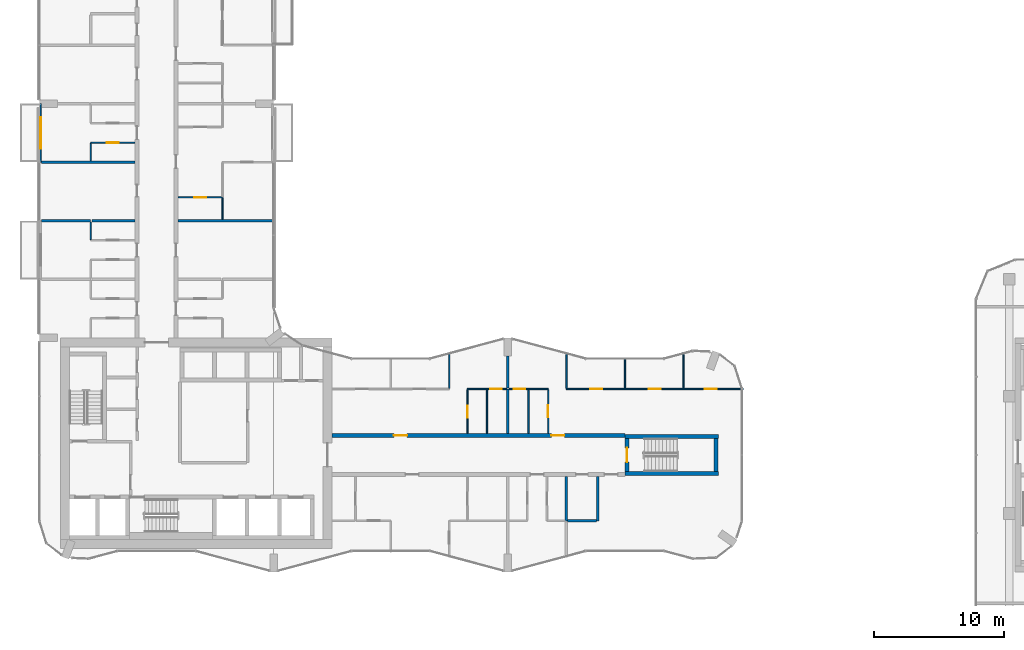
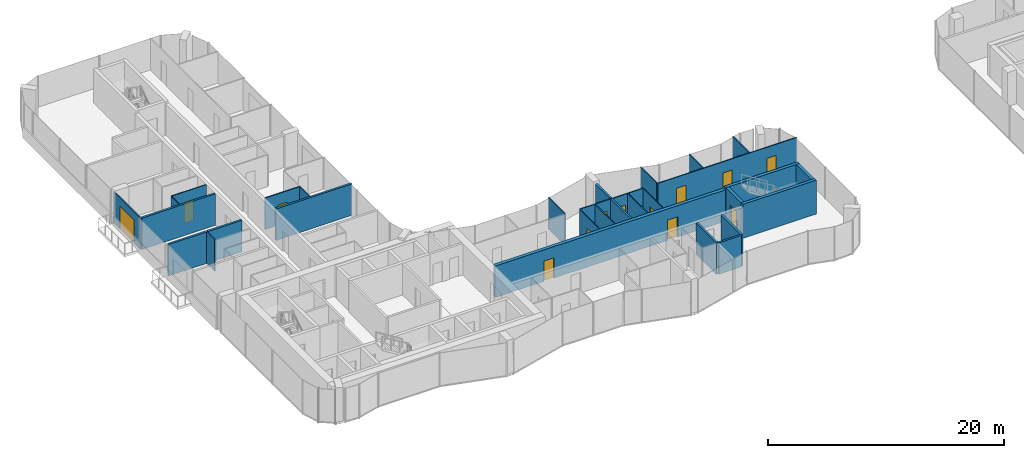
# One storey, part 15 of 23: 31 walls, 13 doors, 13 openings.
"""IFC4 building model written with IfcOpenShell, lengths in metres."""

import ifcopenshell
import ifcopenshell.guid

model = None  # the IFC model being written
_history = None  # IfcOwnerHistory: only IFC2X3 demands one
_inside = {}  # id of a spatial element -> (the spatial element, [elements in it])
_under = {}  # id of a project, library or spatial element -> (it, [spatial elements below it])
_declared = {}  # id of a project -> (the project, [libraries it declares])
_typed = {}  # id of a type object -> (the type object, [elements of that type])
_made_of = {}  # id of a material, layer set ... -> (it, [elements and type objects made of it])


def new_model(schema):
    """Start an empty IFC model of exactly this schema.

    Asked for "IFC4X3", IfcOpenShell would pick the latest addendum, in which some entities
    have other attributes; the version numbers below select the first issue.
    IFC2X3 requires an IfcOwnerHistory on every rooted entity: one is made here for all.
    """
    global model, _history
    if schema == "IFC4X3":
        model = ifcopenshell.file(schema_version=(4, 3, 0, 0))
    else:
        model = ifcopenshell.file(schema=schema)
    _inside.clear()
    _under.clear()
    _declared.clear()
    _typed.clear()
    _made_of.clear()
    _history = None
    if model.schema == "IFC2X3":
        org = make("IfcOrganization", Name="unknown")
        user = make(
            "IfcPersonAndOrganization",
            ThePerson=make("IfcPerson", FamilyName="unknown"),
            TheOrganization=org,
        )
        app = make(
            "IfcApplication",
            ApplicationDeveloper=org,
            Version="unknown",
            ApplicationFullName="unknown",
            ApplicationIdentifier="unknown",
        )
        _history = make(
            "IfcOwnerHistory",
            OwningUser=user,
            OwningApplication=app,
            ChangeAction="ADDED",
            CreationDate=0,
        )
    return model


def make(cls, **values):
    """One entity of the class cls with the attributes given. An attribute that is None is left unset."""
    return model.create_entity(
        cls, **{name: value for name, value in values.items() if value is not None}
    )


def rooted(cls, **values):
    """An entity with a GlobalId (a new one), such as an element, a storey or a relation."""
    return make(cls, GlobalId=ifcopenshell.guid.new(), OwnerHistory=_history, **values)


def si_unit(unit_type, name, prefix=None):
    """IfcSIUnit, for example si_unit("LENGTHUNIT", "METRE", prefix="MILLI")."""
    return make("IfcSIUnit", UnitType=unit_type, Prefix=prefix, Name=name)


def assignment(units):
    """IfcUnitAssignment: the units of a project."""
    return None if units is None else make("IfcUnitAssignment", Units=units)


def point(xyz):
    """IfcCartesianPoint."""
    return None if xyz is None else make("IfcCartesianPoint", Coordinates=xyz)


def direction(xyz):
    """IfcDirection."""
    return None if xyz is None else make("IfcDirection", DirectionRatios=xyz)


def frame(location, z_axis=None, x_axis=None):
    """IfcAxis2Placement3D, a coordinate frame: its origin and axes. An axis left out is left unset."""
    return make(
        "IfcAxis2Placement3D",
        Location=point(location),
        Axis=direction(z_axis),
        RefDirection=direction(x_axis),
    )


def frame_2d(location, x_axis=None):
    """IfcAxis2Placement2D, a coordinate frame in the plane: its origin and x axis."""
    return make(
        "IfcAxis2Placement2D", Location=point(location), RefDirection=direction(x_axis)
    )


def origin():
    """The frame at (0, 0, 0) with its axes left unset."""
    return frame((0.0, 0.0, 0.0))


def place(relative_to, where):
    """IfcLocalPlacement: puts the frame where relative to a parent placement (None: the world)."""
    return make(
        "IfcLocalPlacement", PlacementRelTo=relative_to, RelativePlacement=where
    )


def context(
    kind, dimensions, precision=None, world=None, true_north=None, identifier=None
):
    """IfcGeometricRepresentationContext, for example the 3D "Model" context."""
    return make(
        "IfcGeometricRepresentationContext",
        ContextIdentifier=identifier,
        ContextType=kind,
        CoordinateSpaceDimension=dimensions,
        Precision=precision,
        WorldCoordinateSystem=world,
        TrueNorth=true_north,
    )


def subcontext(parent, identifier, kind, view, scale=None):
    """IfcGeometricRepresentationSubContext, for example "Body" below "Model"."""
    return make(
        "IfcGeometricRepresentationSubContext",
        ContextIdentifier=identifier,
        ContextType=kind,
        ParentContext=parent,
        TargetScale=scale,
        TargetView=view,
    )


def project(units=None, contexts=None):
    """IfcProject with its units and contexts."""
    return rooted(
        "IfcProject",
        Name="project",
        RepresentationContexts=contexts,
        UnitsInContext=assignment(units),
    )


def spatial(cls, under=None, at=None, **own):
    """A site, building, storey or space (cls), placed at a placement, below another one or the project."""
    s = rooted(cls, ObjectPlacement=at, **own)
    if under is not None:
        _under.setdefault(under.id(), (under, []))[1].append(s)
    return s


def profile(cls, at=None, kind="AREA", **sizes):
    """A parametric profile (cls). Its sizes go by their IFC names, for example OverallWidth=200.0."""
    return make(cls, ProfileType=kind, Position=at, **sizes)


def rectangle(**sizes):
    """IfcRectangleProfileDef."""
    return profile("IfcRectangleProfileDef", **sizes)


def extrude(swept, where, along, depth):
    """IfcExtrudedAreaSolid: the profile swept, set in the frame where, extruded along a direction by depth."""
    return make(
        "IfcExtrudedAreaSolid",
        SweptArea=swept,
        Position=where,
        ExtrudedDirection=direction(along),
        Depth=depth,
    )


def shape(context_of_items, identifier, shape_type, items):
    """IfcShapeRepresentation: the items that make up one representation, for example the "Body"."""
    return make(
        "IfcShapeRepresentation",
        ContextOfItems=context_of_items,
        RepresentationIdentifier=identifier,
        RepresentationType=shape_type,
        Items=items,
    )


def material(Name=None, Category=None):
    """IfcMaterial."""
    return make("IfcMaterial", Name=Name, Category=Category)


def layer(
    of_material, thickness, ventilated=None, Name=None, Category=None, Priority=None
):
    """IfcMaterialLayer: one layer of a wall or slab, of a material (None: an air gap)."""
    return make(
        "IfcMaterialLayer",
        Material=of_material,
        LayerThickness=thickness,
        IsVentilated=ventilated,
        Name=Name,
        Category=Category,
        Priority=Priority,
    )


def layer_set(layers, Name=None):
    """IfcMaterialLayerSet."""
    return make("IfcMaterialLayerSet", MaterialLayers=layers, LayerSetName=Name)


def made_of(thing, what):
    """Note that an element or type object is made of a material, layer set ...; save() writes the relation."""
    if what is not None:
        _made_of.setdefault(what.id(), (what, []))[1].append(thing)
    return thing


def type_object(cls, material=None, **own):
    """A type object (cls), such as IfcWallType, which elements share."""
    return made_of(rooted(cls, **own), material)


def element(
    cls,
    number,
    at=None,
    inside=None,
    cuts=None,
    type_object=None,
    material=None,
    context=None,
    identifier="Body",
    shape_type=None,
    held_by="IfcProductDefinitionShape",
    body=None,
    shapes=None,
    **own,
):
    """One element of the class cls, such as IfcWall. Its Tag is "e" and its number.

    at: its placement. inside: the storey or other place that contains it. cuts: it is an
    opening in that element (IfcRelVoidsElement). A single representation is given by context,
    identifier, shape_type and body (its items); several are given by shapes. held_by: the class
    of the entity that holds the representations. save() writes the other relations.
    """
    e = rooted(cls, Tag="e%d" % number, ObjectPlacement=at, **own)
    if body is not None:
        shapes = [shape(context, identifier, shape_type, body)]
    if shapes is not None:
        e.Representation = make(held_by, Representations=shapes)
    if inside is not None:
        _inside.setdefault(inside.id(), (inside, []))[1].append(e)
    if cuts is not None:
        rooted(
            "IfcRelVoidsElement", RelatingBuildingElement=cuts, RelatedOpeningElement=e
        )
    if type_object is not None:
        _typed.setdefault(type_object.id(), (type_object, []))[1].append(e)
    return made_of(e, material)


def fill(opening, filler):
    """IfcRelFillsElement: the door or window that sits in an opening."""
    return rooted(
        "IfcRelFillsElement",
        RelatingOpeningElement=opening,
        RelatedBuildingElement=filler,
    )


def aggregate(whole, parts):
    """IfcRelAggregates: a whole, such as a stair, and the parts it consists of."""
    return rooted("IfcRelAggregates", RelatingObject=whole, RelatedObjects=parts)


def save(model, path):
    """Write the relations noted so far, then the file.

    IfcRelAggregates (storeys below a building ...), IfcRelContainedInSpatialStructure (elements
    in a storey), IfcRelDefinesByType, IfcRelAssociatesMaterial and IfcRelDeclares: one each for
    every whole, place, type object, material and project.
    """
    for whole, parts in _under.values():
        aggregate(whole, parts)
    for where, things in _inside.values():
        rooted(
            "IfcRelContainedInSpatialStructure",
            RelatedElements=things,
            RelatingStructure=where,
        )
    for kind, things in _typed.values():
        rooted("IfcRelDefinesByType", RelatedObjects=things, RelatingType=kind)
    for what, things in _made_of.values():
        rooted("IfcRelAssociatesMaterial", RelatedObjects=things, RelatingMaterial=what)
    for by, libraries in _declared.values():
        rooted("IfcRelDeclares", RelatingContext=by, RelatedDefinitions=libraries)
    model.write(path)


model = new_model("IFC4")

# Units and contexts
model_context = context("Model", 3, precision=1e-05, world=origin(), true_north=direction((0.0, 1.0)))
body_context = subcontext(model_context, "Body", "Model", "MODEL_VIEW")
ifc_project = project(units=[si_unit("LENGTHUNIT", "METRE"), si_unit("AREAUNIT", "SQUARE_METRE"), si_unit("VOLUMEUNIT", "CUBIC_METRE"), si_unit("PLANEANGLEUNIT", "RADIAN"), si_unit("MASSUNIT", "GRAM", prefix="KILO")], contexts=[model_context])

# Site, building, storey
site_placement = place(None, origin())
site = spatial("IfcSite", under=ifc_project, at=site_placement, CompositionType="ELEMENT")
building_placement = place(site_placement, origin())
building = spatial("IfcBuilding", under=site, at=building_placement, Name="Plateau Cross Towers", CompositionType="ELEMENT")
storey_placement = place(building_placement, frame((0.0, 0.0, 88.800048828125)))
storey = spatial("IfcBuildingStorey", under=building, at=storey_placement, Name="L22", CompositionType="ELEMENT", Elevation=88.800048828125)

# Wall, opening, door
ifc_material_1 = material(Name="Aluminium framed glazing", Category="aluminium")
ifc_layer_1 = layer(ifc_material_1, 0.10009765625)
ifc_layer_set_1 = layer_set([ifc_layer_1], Name="Aluminium framed glazing")
wall_type_1 = type_object("IfcWallType", Name="Balcony screen wall 100", PredefinedType="STANDARD", material=ifc_layer_set_1)
wall_1_placement = place(storey_placement, frame((0.10009765625, 31.5, 0.0), z_axis=(0.0, 0.0, 1.0), x_axis=(0.0, 1.0, 0.0)))
wall_1 = element("IfcWall", 1, at=wall_1_placement, inside=storey, type_object=wall_type_1, Name="Balcony screen wall A-BAL-L22-02", PredefinedType="STANDARD", context=body_context, shape_type="SweptSolid", body=[
    extrude(rectangle(XDim=4.5, YDim=0.10009765625, at=frame_2d((2.25, 0.0))), origin(), (0.0, 0.0, 1.0), 3.25),
])
opening_1_placement = place(wall_1_placement, frame((1.050048828125, 0.0, 0.0)))
opening_1 = element("IfcOpeningElement", 2, at=opening_1_placement, cuts=wall_1, Name="Opening D-B24", PredefinedType="OPENING", context=body_context, shape_type="SweptSolid", body=[
    extrude(rectangle(XDim=2.39990234375, YDim=2.39990234375, at=frame_2d((1.199951171875, 1.199951171875))), frame((0.0, 0.06005859375, 0.0), z_axis=(0.0, -1.0, 0.0), x_axis=(1.0, 0.0, 0.0)), (0.0, 0.0, 1.0), 0.1201171875),
])
ifc_material_2 = material(Name="Aluminium frame, double glazing", Category="aluminium")
door_type_1 = type_object("IfcDoorType", Name="Balcony sliding door 2400", OperationType="NOTDEFINED", PredefinedType="DOOR", material=ifc_material_2)
door_1_placement = place(opening_1_placement, origin())
door_1 = element("IfcDoor", 3, at=door_1_placement, inside=storey, type_object=door_type_1, Name="Balcony door A-BAL-L22-02", OperationType="SINGLE_SWING_LEFT", OverallHeight=2.39990234375, OverallWidth=2.39990234375, PredefinedType="DOOR", context=body_context, shape_type="SweptSolid", body=[
    extrude(rectangle(XDim=2.39990234375, YDim=2.39990234375, at=frame_2d((1.199951171875, 1.199951171875))), frame((0.0, 0.02490234375, 0.0), z_axis=(0.0, -1.0, 0.0), x_axis=(1.0, 0.0, 0.0)), (0.0, 0.0, 1.0), 0.050048828125),
])
fill(opening_1, door_1)

# Wall, openings, doors
ifc_material_3 = material(Name="Concrete C60/75", Category="concrete")
ifc_layer_2 = layer(ifc_material_3, 0.324951171875)
ifc_layer_set_2 = layer_set([ifc_layer_2], Name="Concrete C60/75")
wall_type_2 = type_object("IfcWallType", Name="Corridor wall 325", PredefinedType="SHEAR", material=ifc_layer_set_2)
wall_2_placement = place(storey_placement, frame((22.5, 10.5, 0.0), z_axis=(0.0, 0.0, 1.0), x_axis=(1.0, 0.0, 0.0)))
wall_2 = element("IfcWall", 4, at=wall_2_placement, inside=storey, type_object=wall_type_2, Name="A-cw-S2@L22", PredefinedType="SHEAR", context=body_context, shape_type="SweptSolid", body=[
    extrude(rectangle(XDim=22.5, YDim=0.324951171875, at=frame_2d((11.25, 0.0))), origin(), (0.0, 0.0, 1.0), 3.25),
])
opening_2_placement = place(wall_2_placement, frame((4.75, 0.0, 0.0)))
opening_2 = element("IfcOpeningElement", 5, at=opening_2_placement, cuts=wall_2, Name="Opening 22-05", PredefinedType="OPENING", context=body_context, shape_type="SweptSolid", body=[
    extrude(rectangle(XDim=1.0, YDim=2.10009765625, at=frame_2d((0.5, 1.050048828125))), frame((0.0, 0.17236328125, 0.0), z_axis=(0.0, -1.0, 0.0), x_axis=(1.0, 0.0, 0.0)), (0.0, 0.0, 1.0), 0.344970703125),
])
opening_3_placement = place(wall_2_placement, frame((16.85009765625, 0.0, 0.0)))
opening_3 = element("IfcOpeningElement", 6, at=opening_3_placement, cuts=wall_2, Name="Opening 22-06", PredefinedType="OPENING", context=body_context, shape_type="SweptSolid", body=[
    extrude(rectangle(XDim=1.0, YDim=2.10009765625, at=frame_2d((0.5, 1.050048828125))), frame((0.0, 0.17236328125, 0.0), z_axis=(0.0, -1.0, 0.0), x_axis=(1.0, 0.0, 0.0)), (0.0, 0.0, 1.0), 0.344970703125),
])
ifc_material_4 = material(Name="Timber, fire-resisting leaf", Category="wood")
door_type_2 = type_object("IfcDoorType", Name="Flat entrance door 1000", OperationType="NOTDEFINED", PredefinedType="DOOR", material=ifc_material_4)
door_2_placement = place(opening_2_placement, origin())
door_2 = element("IfcDoor", 7, at=door_2_placement, inside=storey, type_object=door_type_2, Name="Door 22-05", OperationType="SINGLE_SWING_LEFT", OverallHeight=2.10009765625, OverallWidth=1.0, PredefinedType="DOOR", context=body_context, shape_type="SweptSolid", body=[
    extrude(rectangle(XDim=1.0, YDim=2.10009765625, at=frame_2d((0.5, 1.050048828125))), frame((0.0, 0.02490234375, 0.0), z_axis=(0.0, -1.0, 0.0), x_axis=(1.0, 0.0, 0.0)), (0.0, 0.0, 1.0), 0.050048828125),
])
fill(opening_2, door_2)
door_3_placement = place(opening_3_placement, origin())
door_3 = element("IfcDoor", 8, at=door_3_placement, inside=storey, type_object=door_type_2, Name="Door 22-06", OperationType="SINGLE_SWING_RIGHT", OverallHeight=2.10009765625, OverallWidth=1.0, PredefinedType="DOOR", context=body_context, shape_type="SweptSolid", body=[
    extrude(rectangle(XDim=1.0, YDim=2.10009765625, at=frame_2d((0.5, 1.050048828125))), frame((0.0, 0.02490234375, 0.0), z_axis=(0.0, -1.0, 0.0), x_axis=(1.0, 0.0, 0.0)), (0.0, 0.0, 1.0), 0.050048828125),
])
fill(opening_3, door_3)

# Wall, opening, door
ifc_material_5 = material(Name="Gypsum board on steel studs", Category="steel")
ifc_layer_3 = layer(ifc_material_5, 0.10009765625)
ifc_layer_set_3 = layer_set([ifc_layer_3], Name="Gypsum board on steel studs")
wall_type_3 = type_object("IfcWallType", Name="Flat partition 100", PredefinedType="PARTITIONING", material=ifc_layer_set_3)
wall_3_placement = place(storey_placement, frame((35.89990234375, 14.0625, 0.0), z_axis=(0.0, 0.0, 1.0), x_axis=(-1.0, 0.0, 0.0)))
wall_3 = element("IfcWall", 9, at=wall_3_placement, inside=storey, type_object=wall_type_3, Name="Partition wall", PredefinedType="PARTITIONING", context=body_context, shape_type="SweptSolid", body=[
    extrude(rectangle(XDim=3.0, YDim=0.10009765625, at=frame_2d((1.5, 0.0))), origin(), (0.0, 0.0, 1.0), 3.25),
])
opening_4_placement = place(wall_3_placement, frame((0.35009765625, 0.0, 0.0)))
opening_4 = element("IfcOpeningElement", 10, at=opening_4_placement, cuts=wall_3, Name="Opening 22-25", PredefinedType="OPENING", context=body_context, shape_type="SweptSolid", body=[
    extrude(rectangle(XDim=0.89990234375, YDim=2.10009765625, at=frame_2d((0.449951171875, 1.050048828125))), frame((0.0, 0.06005859375, 0.0), z_axis=(0.0, -1.0, 0.0), x_axis=(1.0, 0.0, 0.0)), (0.0, 0.0, 1.0), 0.1201171875),
])
ifc_material_6 = material(Name="Timber leaf", Category="wood")
door_type_3 = type_object("IfcDoorType", Name="Flat room door 900", OperationType="NOTDEFINED", PredefinedType="DOOR", material=ifc_material_6)
door_4_placement = place(opening_4_placement, origin())
door_4 = element("IfcDoor", 11, at=door_4_placement, inside=storey, type_object=door_type_3, Name="Door 22-25", OperationType="SINGLE_SWING_LEFT", OverallHeight=2.10009765625, OverallWidth=0.89990234375, PredefinedType="DOOR", context=body_context, shape_type="SweptSolid", body=[
    extrude(rectangle(XDim=0.89990234375, YDim=2.10009765625, at=frame_2d((0.449951171875, 1.050048828125))), frame((0.0, 0.02490234375, 0.0), z_axis=(0.0, -1.0, 0.0), x_axis=(1.0, 0.0, 0.0)), (0.0, 0.0, 1.0), 0.050048828125),
])
fill(opening_4, door_4)

wall_4_placement = place(storey_placement, frame((39.10009765625, 14.0625, 0.0), z_axis=(0.0, 0.0, 1.0), x_axis=(-1.0, 0.0, 0.0)))
wall_4 = element("IfcWall", 12, at=wall_4_placement, inside=storey, type_object=wall_type_3, Name="Partition wall", PredefinedType="PARTITIONING", context=body_context, shape_type="SweptSolid", body=[
    extrude(rectangle(XDim=3.0, YDim=0.10009765625, at=frame_2d((1.5, 0.0))), origin(), (0.0, 0.0, 1.0), 3.25),
])
opening_5_placement = place(wall_4_placement, frame((1.75, 0.0, 0.0)))
opening_5 = element("IfcOpeningElement", 13, at=opening_5_placement, cuts=wall_4, Name="Opening 22-28", PredefinedType="OPENING", context=body_context, shape_type="SweptSolid", body=[
    extrude(rectangle(XDim=0.89990234375, YDim=2.10009765625, at=frame_2d((0.449951171875, 1.050048828125))), frame((0.0, 0.06005859375, 0.0), z_axis=(0.0, -1.0, 0.0), x_axis=(1.0, 0.0, 0.0)), (0.0, 0.0, 1.0), 0.1201171875),
])
door_5_placement = place(opening_5_placement, origin())
door_5 = element("IfcDoor", 14, at=door_5_placement, inside=storey, type_object=door_type_3, Name="Door 22-28", OperationType="SINGLE_SWING_RIGHT", OverallHeight=2.10009765625, OverallWidth=0.89990234375, PredefinedType="DOOR", context=body_context, shape_type="SweptSolid", body=[
    extrude(rectangle(XDim=0.89990234375, YDim=2.10009765625, at=frame_2d((0.449951171875, 1.050048828125))), frame((0.0, 0.02490234375, 0.0), z_axis=(0.0, -1.0, 0.0), x_axis=(1.0, 0.0, 0.0)), (0.0, 0.0, 1.0), 0.050048828125),
])
fill(opening_5, door_5)

# Wall, openings, doors
wall_5_placement = place(storey_placement, frame((40.5, 14.0625, 0.0), z_axis=(0.0, 0.0, 1.0), x_axis=(1.0, 0.0, 0.0)))
wall_5 = element("IfcWall", 15, at=wall_5_placement, inside=storey, type_object=wall_type_3, Name="Partition wall", PredefinedType="PARTITIONING", context=body_context, shape_type="SweptSolid", body=[
    extrude(rectangle(XDim=13.580078125, YDim=0.10009765625, at=frame_2d((6.7900390625, 0.0))), origin(), (0.0, 0.0, 1.0), 3.25),
])
opening_6_placement = place(wall_5_placement, frame((1.85009765625, 0.0, 0.0)))
opening_6 = element("IfcOpeningElement", 16, at=opening_6_placement, cuts=wall_5, Name="Opening 22-30", PredefinedType="OPENING", context=body_context, shape_type="SweptSolid", body=[
    extrude(rectangle(XDim=0.89990234375, YDim=2.10009765625, at=frame_2d((0.449951171875, 1.050048828125))), frame((0.0, 0.06005859375, 0.0), z_axis=(0.0, -1.0, 0.0), x_axis=(1.0, 0.0, 0.0)), (0.0, 0.0, 1.0), 0.1201171875),
])
opening_7_placement = place(wall_5_placement, frame((6.35009765625, 0.0, 0.0)))
opening_7 = element("IfcOpeningElement", 17, at=opening_7_placement, cuts=wall_5, Name="Opening 22-31", PredefinedType="OPENING", context=body_context, shape_type="SweptSolid", body=[
    extrude(rectangle(XDim=0.89990234375, YDim=2.10009765625, at=frame_2d((0.449951171875, 1.050048828125))), frame((0.0, 0.06005859375, 0.0), z_axis=(0.0, -1.0, 0.0), x_axis=(1.0, 0.0, 0.0)), (0.0, 0.0, 1.0), 0.1201171875),
])
opening_8_placement = place(wall_5_placement, frame((10.64990234375, 0.0, 0.0)))
opening_8 = element("IfcOpeningElement", 18, at=opening_8_placement, cuts=wall_5, Name="Opening 22-32", PredefinedType="OPENING", context=body_context, shape_type="SweptSolid", body=[
    extrude(rectangle(XDim=0.89990234375, YDim=2.10009765625, at=frame_2d((0.449951171875, 1.050048828125))), frame((0.0, 0.06005859375, 0.0), z_axis=(0.0, -1.0, 0.0), x_axis=(1.0, 0.0, 0.0)), (0.0, 0.0, 1.0), 0.1201171875),
])
door_6_placement = place(opening_6_placement, origin())
door_6 = element("IfcDoor", 19, at=door_6_placement, inside=storey, type_object=door_type_3, Name="Door 22-30", OperationType="SINGLE_SWING_LEFT", OverallHeight=2.10009765625, OverallWidth=0.89990234375, PredefinedType="DOOR", context=body_context, shape_type="SweptSolid", body=[
    extrude(rectangle(XDim=0.89990234375, YDim=2.10009765625, at=frame_2d((0.449951171875, 1.050048828125))), frame((0.0, 0.02490234375, 0.0), z_axis=(0.0, -1.0, 0.0), x_axis=(1.0, 0.0, 0.0)), (0.0, 0.0, 1.0), 0.050048828125),
])
fill(opening_6, door_6)
door_7_placement = place(opening_7_placement, origin())
door_7 = element("IfcDoor", 20, at=door_7_placement, inside=storey, type_object=door_type_3, Name="Door 22-31", OperationType="SINGLE_SWING_RIGHT", OverallHeight=2.10009765625, OverallWidth=0.89990234375, PredefinedType="DOOR", context=body_context, shape_type="SweptSolid", body=[
    extrude(rectangle(XDim=0.89990234375, YDim=2.10009765625, at=frame_2d((0.449951171875, 1.050048828125))), frame((0.0, 0.02490234375, 0.0), z_axis=(0.0, -1.0, 0.0), x_axis=(1.0, 0.0, 0.0)), (0.0, 0.0, 1.0), 0.050048828125),
])
fill(opening_7, door_7)
door_8_placement = place(opening_8_placement, origin())
door_8 = element("IfcDoor", 21, at=door_8_placement, inside=storey, type_object=door_type_3, Name="Door 22-32", OperationType="SINGLE_SWING_RIGHT", OverallHeight=2.10009765625, OverallWidth=0.89990234375, PredefinedType="DOOR", context=body_context, shape_type="SweptSolid", body=[
    extrude(rectangle(XDim=0.89990234375, YDim=2.10009765625, at=frame_2d((0.449951171875, 1.050048828125))), frame((0.0, 0.02490234375, 0.0), z_axis=(0.0, -1.0, 0.0), x_axis=(1.0, 0.0, 0.0)), (0.0, 0.0, 1.0), 0.050048828125),
])
fill(opening_8, door_8)

# Wall, opening, door
wall_6_placement = place(storey_placement, frame((14.0625, 28.800048828125, 0.0), z_axis=(0.0, 0.0, 1.0), x_axis=(-1.0, 0.0, 0.0)))
wall_6 = element("IfcWall", 22, at=wall_6_placement, inside=storey, type_object=wall_type_3, Name="Partition wall", PredefinedType="PARTITIONING", context=body_context, shape_type="SweptSolid", body=[
    extrude(rectangle(XDim=3.39990234375, YDim=0.10009765625, at=frame_2d((1.699951171875, 0.0))), origin(), (0.0, 0.0, 1.0), 3.25),
])
opening_9_placement = place(wall_6_placement, frame((1.25, 0.0, 0.0)))
opening_9 = element("IfcOpeningElement", 23, at=opening_9_placement, cuts=wall_6, Name="Opening 22-41", PredefinedType="OPENING", context=body_context, shape_type="SweptSolid", body=[
    extrude(rectangle(XDim=0.89990234375, YDim=2.10009765625, at=frame_2d((0.449951171875, 1.050048828125))), frame((0.0, 0.06005859375, 0.0), z_axis=(0.0, -1.0, 0.0), x_axis=(1.0, 0.0, 0.0)), (0.0, 0.0, 1.0), 0.1201171875),
])
door_9_placement = place(opening_9_placement, origin())
door_9 = element("IfcDoor", 24, at=door_9_placement, inside=storey, type_object=door_type_3, Name="Door 22-41", OperationType="SINGLE_SWING_LEFT", OverallHeight=2.10009765625, OverallWidth=0.89990234375, PredefinedType="DOOR", context=body_context, shape_type="SweptSolid", body=[
    extrude(rectangle(XDim=0.89990234375, YDim=2.10009765625, at=frame_2d((0.449951171875, 1.050048828125))), frame((0.0, 0.02490234375, 0.0), z_axis=(0.0, -1.0, 0.0), x_axis=(1.0, 0.0, 0.0)), (0.0, 0.0, 1.0), 0.050048828125),
])
fill(opening_9, door_9)

wall_7_placement = place(storey_placement, frame((7.33740234375, 33.0, 0.0), z_axis=(0.0, 0.0, 1.0), x_axis=(-1.0, 0.0, 0.0)))
wall_7 = element("IfcWall", 25, at=wall_7_placement, inside=storey, type_object=wall_type_3, Name="Partition wall", PredefinedType="PARTITIONING", context=body_context, shape_type="SweptSolid", body=[
    extrude(rectangle(XDim=3.39990234375, YDim=0.10009765625, at=frame_2d((1.699951171875, 0.0))), origin(), (0.0, 0.0, 1.0), 3.25),
])
opening_10_placement = place(wall_7_placement, frame((1.25, 0.0, 0.0)))
opening_10 = element("IfcOpeningElement", 26, at=opening_10_placement, cuts=wall_7, Name="Opening 22-37", PredefinedType="OPENING", context=body_context, shape_type="SweptSolid", body=[
    extrude(rectangle(XDim=0.89990234375, YDim=2.10009765625, at=frame_2d((0.449951171875, 1.050048828125))), frame((0.0, 0.06005859375, 0.0), z_axis=(0.0, -1.0, 0.0), x_axis=(1.0, 0.0, 0.0)), (0.0, 0.0, 1.0), 0.1201171875),
])
door_10_placement = place(opening_10_placement, origin())
door_10 = element("IfcDoor", 27, at=door_10_placement, inside=storey, type_object=door_type_3, Name="Door 22-37", OperationType="SINGLE_SWING_LEFT", OverallHeight=2.10009765625, OverallWidth=0.89990234375, PredefinedType="DOOR", context=body_context, shape_type="SweptSolid", body=[
    extrude(rectangle(XDim=0.89990234375, YDim=2.10009765625, at=frame_2d((0.449951171875, 1.050048828125))), frame((0.0, 0.02490234375, 0.0), z_axis=(0.0, -1.0, 0.0), x_axis=(1.0, 0.0, 0.0)), (0.0, 0.0, 1.0), 0.050048828125),
])
fill(opening_10, door_10)

# Walls
for number, where, z_axis, x_axis, name in (
    (28, (3.9375, 26.89990234375, 0.0), (0.0, 0.0, 1.0), (0.0, -1.0, 0.0), "Partition wall"),
    (29, (3.9375, 32.949951171875, 0.0), (0.0, 0.0, 1.0), (0.0, -1.0, 0.0), "Partition wall"),
):
    element("IfcWall", number, at=place(storey_placement, frame(where, z_axis=z_axis, x_axis=x_axis)), inside=storey, type_object=wall_type_3, Name=name, PredefinedType="PARTITIONING", context=body_context, shape_type="SweptSolid", body=[
        extrude(rectangle(XDim=1.349853515625, YDim=0.10009765625, at=frame_2d((0.6748046875, 0.0))), origin(), (0.0, 0.0, 1.0), 3.25),
    ])
wall_8_placement = place(storey_placement, frame((14.0625, 27.10009765625, 0.0), z_axis=(0.0, 0.0, 1.0), x_axis=(0.0, 1.0, 0.0)))
element("IfcWall", 30, at=wall_8_placement, inside=storey, type_object=wall_type_3, Name="Partition wall", PredefinedType="PARTITIONING", context=body_context, shape_type="SweptSolid", body=[
    extrude(rectangle(XDim=1.64990234375, YDim=0.10009765625, at=frame_2d((0.824951171875, 0.0))), origin(), (0.0, 0.0, 1.0), 3.25),
])
wall_9_placement = place(storey_placement, frame((31.5, 14.112548828125, 0.0), z_axis=(0.0, 0.0, 1.0), x_axis=(0.0, 1.0, 0.0)))
element("IfcWall", 31, at=wall_9_placement, inside=storey, type_object=wall_type_3, Name="Partition wall", PredefinedType="PARTITIONING", context=body_context, shape_type="SweptSolid", body=[
    extrude(rectangle(XDim=2.76513671875, YDim=0.10009765625, at=frame_2d((1.382568359375, 0.0))), origin(), (0.0, 0.0, 1.0), 3.25),
])

# Wall, opening, door
wall_10_placement = place(storey_placement, frame((32.89990234375, 14.012451171875, 0.0), z_axis=(0.0, 0.0, 1.0), x_axis=(0.0, -1.0, 0.0)))
wall_10 = element("IfcWall", 32, at=wall_10_placement, inside=storey, type_object=wall_type_3, Name="Partition wall", PredefinedType="PARTITIONING", context=body_context, shape_type="SweptSolid", body=[
    extrude(rectangle(XDim=3.349853515625, YDim=0.10009765625, at=frame_2d((1.6748046875, 0.0))), origin(), (0.0, 0.0, 1.0), 3.25),
])
opening_11_placement = place(wall_10_placement, frame((1.25, 0.0, 0.0)))
opening_11 = element("IfcOpeningElement", 33, at=opening_11_placement, cuts=wall_10, Name="Opening 22-24", PredefinedType="OPENING", context=body_context, shape_type="SweptSolid", body=[
    extrude(rectangle(XDim=0.89990234375, YDim=2.10009765625, at=frame_2d((0.449951171875, 1.050048828125))), frame((0.0, 0.06005859375, 0.0), z_axis=(0.0, -1.0, 0.0), x_axis=(1.0, 0.0, 0.0)), (0.0, 0.0, 1.0), 0.1201171875),
])
door_11_placement = place(opening_11_placement, origin())
door_11 = element("IfcDoor", 34, at=door_11_placement, inside=storey, type_object=door_type_3, Name="Door 22-24", OperationType="SINGLE_SWING_RIGHT", OverallHeight=2.10009765625, OverallWidth=0.89990234375, PredefinedType="DOOR", context=body_context, shape_type="SweptSolid", body=[
    extrude(rectangle(XDim=0.89990234375, YDim=2.10009765625, at=frame_2d((0.449951171875, 1.050048828125))), frame((0.0, 0.02490234375, 0.0), z_axis=(0.0, -1.0, 0.0), x_axis=(1.0, 0.0, 0.0)), (0.0, 0.0, 1.0), 0.050048828125),
])
fill(opening_11, door_11)

# Walls
for number, where, z_axis, x_axis, name in (
    (35, (34.39990234375, 10.66259765625, 0.0), (0.0, 0.0, 1.0), (0.0, 1.0, 0.0), "Partition wall"),
    (36, (37.60009765625, 10.66259765625, 0.0), (0.0, 0.0, 1.0), (0.0, 1.0, 0.0), "Partition wall"),
):
    element("IfcWall", number, at=place(storey_placement, frame(where, z_axis=z_axis, x_axis=x_axis)), inside=storey, type_object=wall_type_3, Name=name, PredefinedType="PARTITIONING", context=body_context, shape_type="SweptSolid", body=[
        extrude(rectangle(XDim=3.349853515625, YDim=0.10009765625, at=frame_2d((1.6748046875, 0.0))), origin(), (0.0, 0.0, 1.0), 3.25),
    ])

# Wall, opening, door
wall_11_placement = place(storey_placement, frame((39.10009765625, 10.66259765625, 0.0), z_axis=(0.0, 0.0, 1.0), x_axis=(0.0, 1.0, 0.0)))
wall_11 = element("IfcWall", 37, at=wall_11_placement, inside=storey, type_object=wall_type_3, Name="Partition wall", PredefinedType="PARTITIONING", context=body_context, shape_type="SweptSolid", body=[
    extrude(rectangle(XDim=3.349853515625, YDim=0.10009765625, at=frame_2d((1.6748046875, 0.0))), origin(), (0.0, 0.0, 1.0), 3.25),
])
opening_12_placement = place(wall_11_placement, frame((1.25, 0.0, 0.0)))
opening_12 = element("IfcOpeningElement", 38, at=opening_12_placement, cuts=wall_11, Name="Opening 22-29", PredefinedType="OPENING", context=body_context, shape_type="SweptSolid", body=[
    extrude(rectangle(XDim=0.89990234375, YDim=2.10009765625, at=frame_2d((0.449951171875, 1.050048828125))), frame((0.0, 0.06005859375, 0.0), z_axis=(0.0, -1.0, 0.0), x_axis=(1.0, 0.0, 0.0)), (0.0, 0.0, 1.0), 0.1201171875),
])
door_12_placement = place(opening_12_placement, origin())
door_12 = element("IfcDoor", 39, at=door_12_placement, inside=storey, type_object=door_type_3, Name="Door 22-29", OperationType="SINGLE_SWING_RIGHT", OverallHeight=2.10009765625, OverallWidth=0.89990234375, PredefinedType="DOOR", context=body_context, shape_type="SweptSolid", body=[
    extrude(rectangle(XDim=0.89990234375, YDim=2.10009765625, at=frame_2d((0.449951171875, 1.050048828125))), frame((0.0, 0.02490234375, 0.0), z_axis=(0.0, -1.0, 0.0), x_axis=(1.0, 0.0, 0.0)), (0.0, 0.0, 1.0), 0.050048828125),
])
fill(opening_12, door_12)

# Walls
wall_12_placement = place(storey_placement, frame((40.5, 16.877685546875, 0.0), z_axis=(0.0, 0.0, 1.0), x_axis=(0.0, -1.0, 0.0)))
element("IfcWall", 40, at=wall_12_placement, inside=storey, type_object=wall_type_3, Name="Partition wall", PredefinedType="PARTITIONING", context=body_context, shape_type="SweptSolid", body=[
    extrude(rectangle(XDim=2.76513671875, YDim=0.10009765625, at=frame_2d((1.382568359375, 0.0))), origin(), (0.0, 0.0, 1.0), 3.25),
])
wall_13_placement = place(storey_placement, frame((45.0, 14.112548828125, 0.0), z_axis=(0.0, 0.0, 1.0), x_axis=(0.0, 1.0, 0.0)))
element("IfcWall", 41, at=wall_13_placement, inside=storey, type_object=wall_type_3, Name="Partition wall", PredefinedType="PARTITIONING", context=body_context, shape_type="SweptSolid", body=[
    extrude(rectangle(XDim=2.360595703125, YDim=0.10009765625, at=frame_2d((1.18017578125, 0.0))), origin(), (0.0, 0.0, 1.0), 3.25),
])
wall_14_placement = place(storey_placement, frame((49.5, 14.112548828125, 0.0), z_axis=(0.0, 0.0, 1.0), x_axis=(0.0, 1.0, 0.0)))
element("IfcWall", 42, at=wall_14_placement, inside=storey, type_object=wall_type_3, Name="Partition wall", PredefinedType="PARTITIONING", context=body_context, shape_type="SweptSolid", body=[
    extrude(rectangle(XDim=2.76513671875, YDim=0.10009765625, at=frame_2d((1.382568359375, 0.0))), origin(), (0.0, 0.0, 1.0), 3.25),
])
ifc_material_7 = material(Name="Gypsum board on steel studs, two layers each side", Category="steel")
ifc_layer_4 = layer(ifc_material_7, 0.199951171875)
ifc_layer_set_4 = layer_set([ifc_layer_4], Name="Gypsum board on steel studs, two layers each side")
wall_type_4 = type_object("IfcWallType", Name="Flat party wall 200", PredefinedType="PARTITIONING", material=ifc_layer_set_4)
wall_15_placement = place(storey_placement, frame((40.60009765625, 3.9375, 0.0), z_axis=(0.0, 0.0, 1.0), x_axis=(1.0, 0.0, 0.0)))
element("IfcWall", 43, at=wall_15_placement, inside=storey, type_object=wall_type_4, Name="Party wall", PredefinedType="PARTITIONING", context=body_context, shape_type="SweptSolid", body=[
    extrude(rectangle(XDim=2.199951171875, YDim=0.199951171875, at=frame_2d((1.10009765625, 0.0))), origin(), (0.0, 0.0, 1.0), 3.25),
])
wall_16_placement = place(storey_placement, frame((7.33740234375, 27.0, 0.0), z_axis=(0.0, 0.0, 1.0), x_axis=(-1.0, 0.0, 0.0)))
element("IfcWall", 44, at=wall_16_placement, inside=storey, type_object=wall_type_4, Name="Party wall", PredefinedType="PARTITIONING", context=body_context, shape_type="SweptSolid", body=[
    extrude(rectangle(XDim=3.2998046875, YDim=0.199951171875, at=frame_2d((1.64990234375, 0.0))), origin(), (0.0, 0.0, 1.0), 3.25),
])
wall_17_placement = place(storey_placement, frame((18.080078125, 27.0, 0.0), z_axis=(0.0, 0.0, 1.0), x_axis=(-1.0, 0.0, 0.0)))
element("IfcWall", 45, at=wall_17_placement, inside=storey, type_object=wall_type_4, Name="Party wall", PredefinedType="PARTITIONING", context=body_context, shape_type="SweptSolid", body=[
    extrude(rectangle(XDim=7.41748046875, YDim=0.199951171875, at=frame_2d((3.708740234375, 0.0))), origin(), (0.0, 0.0, 1.0), 3.25),
])
wall_18_placement = place(storey_placement, frame((0.14990234375, 27.0, 0.0), z_axis=(0.0, 0.0, 1.0), x_axis=(1.0, 0.0, 0.0)))
element("IfcWall", 46, at=wall_18_placement, inside=storey, type_object=wall_type_4, Name="Party wall", PredefinedType="PARTITIONING", context=body_context, shape_type="SweptSolid", body=[
    extrude(rectangle(XDim=3.78759765625, YDim=0.199951171875, at=frame_2d((1.893798828125, 0.0))), origin(), (0.0, 0.0, 1.0), 3.25),
])
wall_19_placement = place(storey_placement, frame((7.33740234375, 31.5, 0.0), z_axis=(0.0, 0.0, 1.0), x_axis=(-1.0, 0.0, 0.0)))
element("IfcWall", 47, at=wall_19_placement, inside=storey, type_object=wall_type_4, Name="Party wall", PredefinedType="PARTITIONING", context=body_context, shape_type="SweptSolid", body=[
    extrude(rectangle(XDim=7.1875, YDim=0.199951171875, at=frame_2d((3.59375, 0.0))), origin(), (0.0, 0.0, 1.0), 3.25),
])
wall_20_placement = place(storey_placement, frame((36.0, 16.60009765625, 0.0), z_axis=(0.0, 0.0, 1.0), x_axis=(0.0, -1.0, 0.0)))
element("IfcWall", 48, at=wall_20_placement, inside=storey, type_object=wall_type_4, Name="Party wall", PredefinedType="PARTITIONING", context=body_context, shape_type="SweptSolid", body=[
    extrude(rectangle(XDim=2.4375, YDim=0.199951171875, at=frame_2d((1.21875, 0.0))), origin(), (0.0, 0.0, 1.0), 3.25),
])
for number, where, z_axis, x_axis, name in (
    (49, (36.0, 10.66259765625, 0.0), (0.0, 0.0, 1.0), (0.0, 1.0, 0.0), "Party wall"),
    (50, (40.5, 3.9375, 0.0), (0.0, 0.0, 1.0), (0.0, 1.0, 0.0), "Party wall"),
    (51, (42.89990234375, 3.9375, 0.0), (0.0, 0.0, 1.0), (0.0, 1.0, 0.0), "Party wall"),
):
    element("IfcWall", number, at=place(storey_placement, frame(where, z_axis=z_axis, x_axis=x_axis)), inside=storey, type_object=wall_type_4, Name=name, PredefinedType="PARTITIONING", context=body_context, shape_type="SweptSolid", body=[
        extrude(rectangle(XDim=3.39990234375, YDim=0.199951171875, at=frame_2d((1.699951171875, 0.0))), origin(), (0.0, 0.0, 1.0), 3.25),
    ])

# Wall, opening, door
ifc_layer_5 = layer(ifc_material_3, 0.300048828125)
ifc_layer_set_5 = layer_set([ifc_layer_5], Name="Concrete C60/75")
wall_type_5 = type_object("IfcWallType", Name="Stair tower wall 300", PredefinedType="SHEAR", material=ifc_layer_set_5)
wall_21_placement = place(storey_placement, frame((45.14990234375, 7.72509765625, 0.0), z_axis=(0.0, 0.0, 1.0), x_axis=(0.0, 1.0, 0.0)))
wall_21 = element("IfcWall", 52, at=wall_21_placement, inside=storey, type_object=wall_type_5, Name="A-end-E-W@L22", PredefinedType="SHEAR", context=body_context, shape_type="SweptSolid", body=[
    extrude(rectangle(XDim=2.5498046875, YDim=0.300048828125, at=frame_2d((1.27490234375, 0.0))), origin(), (0.0, 0.0, 1.0), 3.5),
])
opening_13_placement = place(wall_21_placement, frame((0.72509765625, 0.0, 0.0)))
opening_13 = element("IfcOpeningElement", 53, at=opening_13_placement, cuts=wall_21, Name="Opening SD", PredefinedType="OPENING", context=body_context, shape_type="SweptSolid", body=[
    extrude(rectangle(XDim=1.10009765625, YDim=2.10009765625, at=frame_2d((0.550048828125, 1.050048828125))), frame((0.0, 0.159912109375, 0.0), z_axis=(0.0, -1.0, 0.0), x_axis=(1.0, 0.0, 0.0)), (0.0, 0.0, 1.0), 0.320068359375),
])
ifc_material_8 = material(Name="Steel, fire-resisting leaf", Category="steel")
door_type_4 = type_object("IfcDoorType", Name="Stair door 1100", OperationType="NOTDEFINED", PredefinedType="DOOR", material=ifc_material_8)
door_13_placement = place(opening_13_placement, origin())
door_13 = element("IfcDoor", 54, at=door_13_placement, inside=storey, type_object=door_type_4, Name="Stair door SD", OperationType="SINGLE_SWING_LEFT", OverallHeight=2.10009765625, OverallWidth=1.10009765625, PredefinedType="DOOR", context=body_context, shape_type="SweptSolid", body=[
    extrude(rectangle(XDim=1.10009765625, YDim=2.10009765625, at=frame_2d((0.550048828125, 1.050048828125))), frame((0.0, 0.02490234375, 0.0), z_axis=(0.0, -1.0, 0.0), x_axis=(1.0, 0.0, 0.0)), (0.0, 0.0, 1.0), 0.050048828125),
])
fill(opening_13, door_13)

# Walls
wall_22_placement = place(storey_placement, frame((52.0, 7.72509765625, 0.0), z_axis=(0.0, 0.0, 1.0), x_axis=(0.0, 1.0, 0.0)))
element("IfcWall", 55, at=wall_22_placement, inside=storey, type_object=wall_type_5, Name="A-end-E-E@L22", PredefinedType="SHEAR", context=body_context, shape_type="SweptSolid", body=[
    extrude(rectangle(XDim=2.5498046875, YDim=0.300048828125, at=frame_2d((1.27490234375, 0.0))), origin(), (0.0, 0.0, 1.0), 3.5),
])
for number, where, z_axis, x_axis, name in (
    (56, (45.0, 7.574951171875, 0.0), (0.0, 0.0, 1.0), (1.0, 0.0, 0.0), "A-end-E-S@L22"),
    (57, (45.0, 10.425048828125, 0.0), (0.0, 0.0, 1.0), (1.0, 0.0, 0.0), "A-end-E-N@L22"),
):
    element("IfcWall", number, at=place(storey_placement, frame(where, z_axis=z_axis, x_axis=x_axis)), inside=storey, type_object=wall_type_5, Name=name, PredefinedType="SHEAR", context=body_context, shape_type="SweptSolid", body=[
        extrude(rectangle(XDim=7.199951171875, YDim=0.300048828125, at=frame_2d((3.60009765625, 0.0))), origin(), (0.0, 0.0, 1.0), 3.5),
    ])

save(model, "model.ifc")
